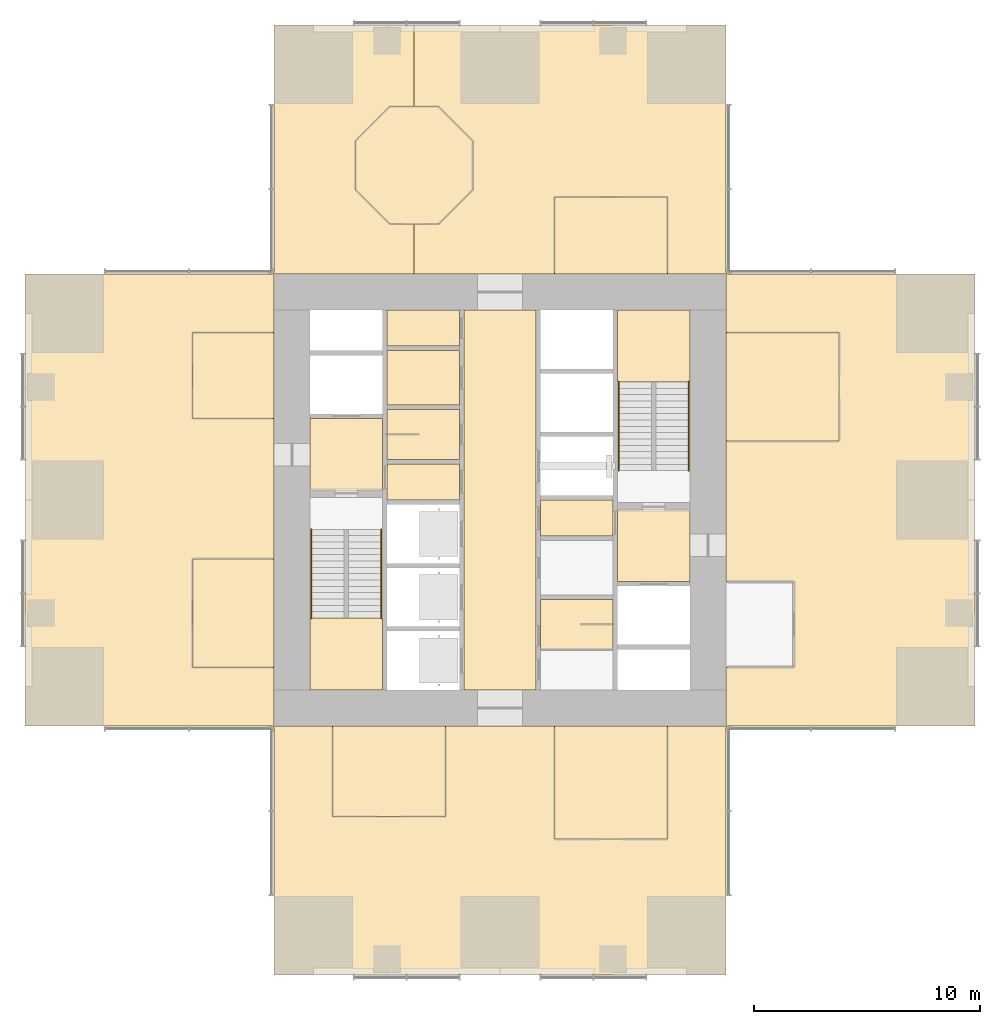
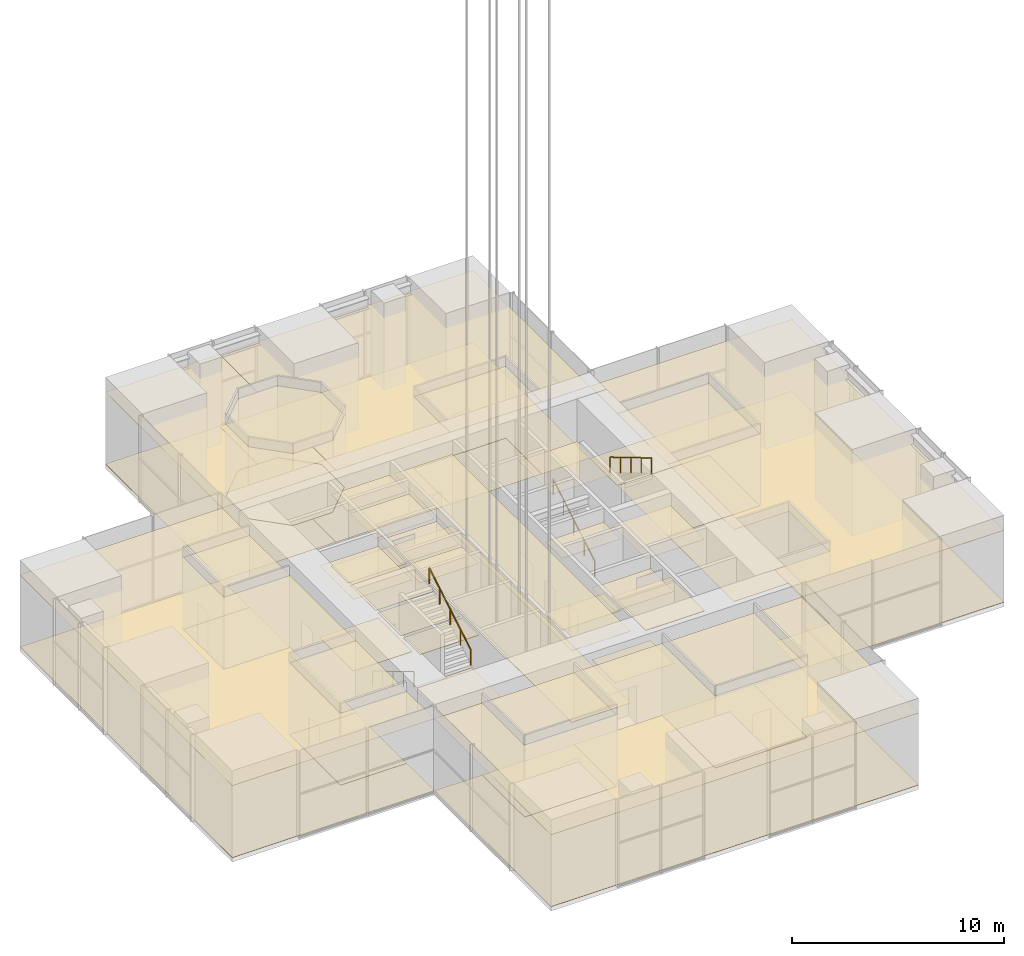
# One storey, part 15 of 16: 44 coverings, 4 railings.
"""IFC4 building model written with IfcOpenShell, lengths in metres."""

from ifc_helpers import new_model, si_unit, direction, frame, origin, origin_2d, place, context, subcontext, project, spatial, polyline, circle, outline, extrude, material, layer, layer_set, type_object, element, save


model = new_model("IFC4")

# Units and contexts
model_context = context("Model", 3, precision=1e-05, world=origin(), true_north=direction((0.0, 1.0)))
body_context = subcontext(model_context, "Body", "Model", "MODEL_VIEW")
ifc_project = project(units=[si_unit("LENGTHUNIT", "METRE"), si_unit("AREAUNIT", "SQUARE_METRE"), si_unit("VOLUMEUNIT", "CUBIC_METRE"), si_unit("PLANEANGLEUNIT", "RADIAN"), si_unit("MASSUNIT", "GRAM", prefix="KILO")], contexts=[model_context])

# Site, building, storey
site_placement = place(None, origin())
site = spatial("IfcSite", under=ifc_project, at=site_placement, CompositionType="ELEMENT")
building_placement = place(site_placement, origin())
building = spatial("IfcBuilding", under=site, at=building_placement, Name="Svetlomir Tower", CompositionType="ELEMENT")
storey_placement = place(building_placement, frame((0.0, 0.0, 91.5)))
storey = spatial("IfcBuildingStorey", under=building, at=storey_placement, Name="L21", CompositionType="ELEMENT", Elevation=91.5)

# Coverings
ifc_material_1 = material(Name="Carpet tile", Category="textile")
ifc_layer_1 = layer(ifc_material_1, 0.010009765625)
ifc_layer_set_1 = layer_set([ifc_layer_1], Name="Carpet tile")
covering_type_1 = type_object("IfcCoveringType", Name="CARPET TILE FLOOR 10", PredefinedType="FLOORING", material=ifc_layer_set_1)
covering_1_placement = place(storey_placement, origin())
element("IfcCovering", 1, at=covering_1_placement, inside=storey, type_object=covering_type_1, Name="Floor finish L21-14", PredefinedType="FLOORING", context=body_context, shape_type="SweptSolid", body=[
    extrude(outline(polyline([(13.60009765625, 7.0), (18.60009765625, 7.0), (18.60009765625, 11.0), (13.60009765625, 11.0), (13.60009765625, 7.0)])), origin(), (0.0, 0.0, 1.0), 0.010009765625),
])
covering_2_placement = place(storey_placement, origin())
element("IfcCovering", 2, at=covering_2_placement, inside=storey, type_object=covering_type_1, Name="Floor finish L21-15", PredefinedType="FLOORING", context=body_context, shape_type="SweptSolid", body=[
    extrude(outline(polyline([(23.39990234375, 6.0), (28.39990234375, 6.0), (28.39990234375, 11.0), (23.39990234375, 11.0), (23.39990234375, 6.0)])), origin(), (0.0, 0.0, 1.0), 0.010009765625),
])
covering_3_placement = place(storey_placement, origin())
element("IfcCovering", 3, at=covering_3_placement, inside=storey, type_object=covering_type_1, Name="Floor finish L21-17", PredefinedType="FLOORING", context=body_context, shape_type="SweptSolid", body=[
    extrude(outline(polyline([(31.0, 23.60009765625), (36.0, 23.60009765625), (36.0, 28.39990234375), (31.0, 28.39990234375), (31.0, 23.60009765625)])), origin(), (0.0, 0.0, 1.0), 0.010009765625),
])
covering_4_placement = place(storey_placement, origin())
element("IfcCovering", 4, at=covering_4_placement, inside=storey, type_object=covering_type_1, Name="Floor finish L21-18", PredefinedType="FLOORING", context=body_context, shape_type="SweptSolid", body=[
    extrude(outline(polyline([(23.39990234375, 31.0), (28.39990234375, 31.0), (28.39990234375, 34.39990234375), (23.39990234375, 34.39990234375), (23.39990234375, 31.0)])), origin(), (0.0, 0.0, 1.0), 0.010009765625),
])
covering_5_placement = place(storey_placement, origin())
element("IfcCovering", 5, at=covering_5_placement, inside=storey, type_object=covering_type_1, Name="Floor finish L21-19", PredefinedType="FLOORING", context=body_context, shape_type="SweptSolid", body=[
    extrude(outline(polyline([(16.123046875, 33.199951171875), (18.277099609375, 33.199951171875), (19.800048828125, 34.722900390625), (19.800048828125, 36.876953125), (18.277099609375, 38.39990234375), (16.123046875, 38.39990234375), (14.60009765625, 36.876953125), (14.60009765625, 34.722900390625), (16.123046875, 33.199951171875)])), origin(), (0.0, 0.0, 1.0), 0.010009765625),
])
covering_6_placement = place(storey_placement, origin())
element("IfcCovering", 6, at=covering_6_placement, inside=storey, type_object=covering_type_1, Name="Floor finish L21-20", PredefinedType="FLOORING", context=body_context, shape_type="SweptSolid", body=[
    extrude(outline(polyline([(7.39990234375, 13.60009765625), (11.0, 13.60009765625), (11.0, 18.39990234375), (7.39990234375, 18.39990234375), (7.39990234375, 13.60009765625)])), origin(), (0.0, 0.0, 1.0), 0.010009765625),
])
covering_7_placement = place(storey_placement, origin())
element("IfcCovering", 7, at=covering_7_placement, inside=storey, type_object=covering_type_1, Name="Floor finish L21-21", PredefinedType="FLOORING", context=body_context, shape_type="SweptSolid", body=[
    extrude(outline(polyline([(7.39990234375, 24.60009765625), (11.0, 24.60009765625), (11.0, 28.39990234375), (7.39990234375, 28.39990234375), (7.39990234375, 24.60009765625)])), origin(), (0.0, 0.0, 1.0), 0.010009765625),
])
covering_8_placement = place(storey_placement, origin())
element("IfcCovering", 8, at=covering_8_placement, inside=storey, type_object=covering_type_1, Name="Floor finish L21-22", PredefinedType="FLOORING", context=body_context, shape_type="SweptSolid", body=[
    extrude(outline(polyline([(11.0, 0.0), (11.0, 11.0), (13.60009765625, 11.0), (13.60009765625, 7.0), (18.60009765625, 7.0), (18.60009765625, 11.0), (23.39990234375, 11.0), (23.39990234375, 6.0), (28.39990234375, 6.0), (28.39990234375, 11.0), (31.0, 11.0), (31.0, 0.0), (11.0, 0.0)])), origin(), (0.0, 0.0, 1.0), 0.010009765625),
])
covering_9_placement = place(storey_placement, origin())
element("IfcCovering", 9, at=covering_9_placement, inside=storey, type_object=covering_type_1, Name="Floor finish L21-23", PredefinedType="FLOORING", context=body_context, shape_type="SweptSolid", body=[
    extrude(outline(polyline([(42.0, 11.0), (31.0, 11.0), (31.0, 13.60009765625), (34.0, 13.60009765625), (34.0, 17.39990234375), (31.0, 17.39990234375), (31.0, 23.60009765625), (36.0, 23.60009765625), (36.0, 28.39990234375), (31.0, 28.39990234375), (31.0, 31.0), (42.0, 31.0), (42.0, 11.0)])), origin(), (0.0, 0.0, 1.0), 0.010009765625),
])
covering_10_placement = place(storey_placement, origin())
element("IfcCovering", 10, at=covering_10_placement, inside=storey, type_object=covering_type_1, Name="Floor finish L21-24", PredefinedType="FLOORING", context=body_context, shape_type="SweptSolid", body=[
    extrude(outline(polyline([(17.199951171875, 31.0), (11.0, 31.0), (11.0, 42.0), (17.199951171875, 42.0), (17.199951171875, 38.39990234375), (16.123046875, 38.39990234375), (14.60009765625, 36.876953125), (14.60009765625, 34.722900390625), (16.123046875, 33.199951171875), (17.199951171875, 33.199951171875), (17.199951171875, 31.0)])), origin(), (0.0, 0.0, 1.0), 0.010009765625),
])
covering_11_placement = place(storey_placement, origin())
element("IfcCovering", 11, at=covering_11_placement, inside=storey, type_object=covering_type_1, Name="Floor finish L21-25", PredefinedType="FLOORING", context=body_context, shape_type="SweptSolid", body=[
    extrude(outline(polyline([(31.0, 42.0), (31.0, 31.0), (28.39990234375, 31.0), (28.39990234375, 34.39990234375), (23.39990234375, 34.39990234375), (23.39990234375, 31.0), (17.199951171875, 31.0), (17.199951171875, 33.199951171875), (18.277099609375, 33.199951171875), (19.800048828125, 34.722900390625), (19.800048828125, 36.876953125), (18.277099609375, 38.39990234375), (17.199951171875, 38.39990234375), (17.199951171875, 42.0), (31.0, 42.0)])), origin(), (0.0, 0.0, 1.0), 0.010009765625),
])
covering_12_placement = place(storey_placement, origin())
element("IfcCovering", 12, at=covering_12_placement, inside=storey, type_object=covering_type_1, Name="Floor finish L21-26", PredefinedType="FLOORING", context=body_context, shape_type="SweptSolid", body=[
    extrude(outline(polyline([(0.0, 31.0), (11.0, 31.0), (11.0, 28.39990234375), (7.39990234375, 28.39990234375), (7.39990234375, 24.60009765625), (11.0, 24.60009765625), (11.0, 18.39990234375), (7.39990234375, 18.39990234375), (7.39990234375, 13.60009765625), (11.0, 13.60009765625), (11.0, 11.0), (0.0, 11.0), (0.0, 31.0)])), origin(), (0.0, 0.0, 1.0), 0.010009765625),
])
ifc_material_2 = material(Name="Ceramic floor tile", Category="ceramic")
ifc_layer_2 = layer(ifc_material_2, 0.014892578125)
ifc_layer_set_2 = layer_set([ifc_layer_2], Name="Ceramic floor tile")
covering_type_2 = type_object("IfcCoveringType", Name="CERAMIC TILE FLOOR 15", PredefinedType="FLOORING", material=ifc_layer_set_2)
covering_13_placement = place(storey_placement, origin())
element("IfcCovering", 13, at=covering_13_placement, inside=storey, type_object=covering_type_2, Name="Floor finish L21-04", PredefinedType="FLOORING", context=body_context, shape_type="SweptSolid", body=[
    extrude(outline(polyline([(16.0, 22.800048828125), (19.199951171875, 22.800048828125), (19.199951171875, 25.0), (16.0, 25.0), (16.0, 22.800048828125)])), origin(), (0.0, 0.0, 1.0), 0.014892578125),
])
covering_14_placement = place(storey_placement, origin())
element("IfcCovering", 14, at=covering_14_placement, inside=storey, type_object=covering_type_2, Name="Floor finish L21-05", PredefinedType="FLOORING", context=body_context, shape_type="SweptSolid", body=[
    extrude(outline(polyline([(16.0, 25.199951171875), (19.199951171875, 25.199951171875), (19.199951171875, 27.60009765625), (16.0, 27.60009765625), (16.0, 25.199951171875)])), origin(), (0.0, 0.0, 1.0), 0.014892578125),
])
covering_15_placement = place(storey_placement, origin())
element("IfcCovering", 15, at=covering_15_placement, inside=storey, type_object=covering_type_2, Name="Floor finish L21-09", PredefinedType="FLOORING", context=body_context, shape_type="SweptSolid", body=[
    extrude(outline(polyline([(22.800048828125, 14.39990234375), (26.0, 14.39990234375), (26.0, 16.60009765625), (22.800048828125, 16.60009765625), (22.800048828125, 14.39990234375)])), origin(), (0.0, 0.0, 1.0), 0.014892578125),
])

# Railings
ifc_material_3 = material(Name="Stainless steel", Category="steel")
railing_type = type_object("IfcRailingType", Name="HANDRAIL HR1 900", PredefinedType="HANDRAIL", material=ifc_material_3)
railing_1_placement = place(storey_placement, frame((12.64990234375, 19.699951171875, 0.166748046875)))
element("IfcRailing", 16, at=railing_1_placement, inside=storey, type_object=railing_type, Name="Handrail S1 flight 1 L21", PredefinedType="HANDRAIL", context=body_context, shape_type="SweptSolid", body=[
    extrude(circle(Radius=0.02392578125, at=origin_2d()), frame((0.0, 0.0, 0.8759765625), z_axis=(0.0, -0.859296244711, 0.511478214419), x_axis=(1.0, 0.0, 0.0)), (0.0, 0.0, 1.0), 4.561767578125),
    extrude(circle(Radius=0.02099609375, at=origin_2d()), origin(), (0.0, 0.0, 1.0), 0.851806640625),
    extrude(circle(Radius=0.02099609375, at=origin_2d()), frame((0.0, -0.97998046875, 0.583251953125)), (0.0, 0.0, 1.0), 0.851806640625),
    extrude(circle(Radius=0.02099609375, at=origin_2d()), frame((0.0, -1.9599609375, 1.16650390625)), (0.0, 0.0, 1.0), 0.851806640625),
    extrude(circle(Radius=0.02099609375, at=origin_2d()), frame((0.0, -2.93994140625, 1.75)), (0.0, 0.0, 1.0), 0.851806640625),
    extrude(circle(Radius=0.02099609375, at=origin_2d()), frame((0.0, -3.919921875, 2.333251953125)), (0.0, 0.0, 1.0), 0.851806640625),
])
for number, where, name in (
    (17, (15.75, 15.780029296875, 2.666748046875), "Handrail S1 flight 2 L21"),
    (18, (26.25, 22.300048828125, 0.166748046875), "Handrail S2 flight 1 L21"),
):
    element("IfcRailing", number, at=place(storey_placement, frame(where)), inside=storey, type_object=railing_type, Name=name, PredefinedType="HANDRAIL", context=body_context, shape_type="SweptSolid", body=[
        extrude(circle(Radius=0.02392578125, at=origin_2d()), frame((0.0, 0.0, 0.8759765625), z_axis=(0.0, 0.859296244711, 0.511478214419), x_axis=(-1.0, 0.0, 0.0)), (0.0, 0.0, 1.0), 4.561767578125),
        extrude(circle(Radius=0.02099609375, at=origin_2d()), origin(), (0.0, 0.0, 1.0), 0.851806640625),
        extrude(circle(Radius=0.02099609375, at=origin_2d()), frame((0.0, 0.97998046875, 0.583251953125)), (0.0, 0.0, 1.0), 0.851806640625),
        extrude(circle(Radius=0.02099609375, at=origin_2d()), frame((0.0, 1.9599609375, 1.16650390625)), (0.0, 0.0, 1.0), 0.851806640625),
        extrude(circle(Radius=0.02099609375, at=origin_2d()), frame((0.0, 2.93994140625, 1.75)), (0.0, 0.0, 1.0), 0.851806640625),
        extrude(circle(Radius=0.02099609375, at=origin_2d()), frame((0.0, 3.919921875, 2.333251953125)), (0.0, 0.0, 1.0), 0.851806640625),
    ])
railing_2_placement = place(storey_placement, frame((29.35009765625, 26.219970703125, 2.666748046875)))
element("IfcRailing", 19, at=railing_2_placement, inside=storey, type_object=railing_type, Name="Handrail S2 flight 2 L21", PredefinedType="HANDRAIL", context=body_context, shape_type="SweptSolid", body=[
    extrude(circle(Radius=0.02392578125, at=origin_2d()), frame((0.0, 0.0, 0.8759765625), z_axis=(0.0, -0.859296244711, 0.511478214419), x_axis=(1.0, 0.0, 0.0)), (0.0, 0.0, 1.0), 4.561767578125),
    extrude(circle(Radius=0.02099609375, at=origin_2d()), origin(), (0.0, 0.0, 1.0), 0.851806640625),
    extrude(circle(Radius=0.02099609375, at=origin_2d()), frame((0.0, -0.97998046875, 0.583251953125)), (0.0, 0.0, 1.0), 0.851806640625),
    extrude(circle(Radius=0.02099609375, at=origin_2d()), frame((0.0, -1.9599609375, 1.16650390625)), (0.0, 0.0, 1.0), 0.851806640625),
    extrude(circle(Radius=0.02099609375, at=origin_2d()), frame((0.0, -2.93994140625, 1.75)), (0.0, 0.0, 1.0), 0.851806640625),
    extrude(circle(Radius=0.02099609375, at=origin_2d()), frame((0.0, -3.919921875, 2.333251953125)), (0.0, 0.0, 1.0), 0.851806640625),
])

# Coverings
ifc_material_4 = material(Name="Moisture resistant plasterboard ceiling", Category="gypsum")
ifc_layer_3 = layer(ifc_material_4, 0.012451171875)
ifc_layer_set_3 = layer_set([ifc_layer_3], Name="Moisture resistant plasterboard ceiling")
covering_type_3 = type_object("IfcCoveringType", Name="MOISTURE RESISTANT CEILING 12.5", PredefinedType="CEILING", material=ifc_layer_set_3)
covering_16_placement = place(storey_placement, frame((0.0, 0.0, 4.137451171875)))
element("IfcCovering", 20, at=covering_16_placement, inside=storey, type_object=covering_type_3, Name="Ceiling L21-04", PredefinedType="CEILING", context=body_context, shape_type="SweptSolid", body=[
    extrude(outline(polyline([(16.0, 22.800048828125), (19.199951171875, 22.800048828125), (19.199951171875, 25.0), (16.0, 25.0), (16.0, 22.800048828125)])), origin(), (0.0, 0.0, 1.0), 0.012451171875),
])
covering_17_placement = place(storey_placement, frame((0.0, 0.0, 4.137451171875)))
element("IfcCovering", 21, at=covering_17_placement, inside=storey, type_object=covering_type_3, Name="Ceiling L21-05", PredefinedType="CEILING", context=body_context, shape_type="SweptSolid", body=[
    extrude(outline(polyline([(16.0, 25.199951171875), (19.199951171875, 25.199951171875), (19.199951171875, 27.60009765625), (16.0, 27.60009765625), (16.0, 25.199951171875)])), origin(), (0.0, 0.0, 1.0), 0.012451171875),
])
covering_18_placement = place(storey_placement, frame((0.0, 0.0, 4.137451171875)))
element("IfcCovering", 22, at=covering_18_placement, inside=storey, type_object=covering_type_3, Name="Ceiling L21-09", PredefinedType="CEILING", context=body_context, shape_type="SweptSolid", body=[
    extrude(outline(polyline([(22.800048828125, 14.39990234375), (26.0, 14.39990234375), (26.0, 16.60009765625), (22.800048828125, 16.60009765625), (22.800048828125, 14.39990234375)])), origin(), (0.0, 0.0, 1.0), 0.012451171875),
])
ifc_material_5 = material(Name="Gypsum plasterboard ceiling", Category="gypsum")
ifc_layer_4 = layer(ifc_material_5, 0.014892578125)
ifc_layer_set_4 = layer_set([ifc_layer_4], Name="Gypsum plasterboard ceiling")
covering_type_4 = type_object("IfcCoveringType", Name="PLASTERBOARD CEILING 15", PredefinedType="CEILING", material=ifc_layer_set_4)
covering_19_placement = place(storey_placement, frame((0.0, 0.0, 4.135009765625)))
element("IfcCovering", 23, at=covering_19_placement, inside=storey, type_object=covering_type_4, Name="Ceiling L21-02", PredefinedType="CEILING", context=body_context, shape_type="SweptSolid", body=[
    extrude(outline(polyline([(12.60009765625, 21.39990234375), (15.800048828125, 21.39990234375), (15.800048828125, 24.60009765625), (12.60009765625, 24.60009765625), (12.60009765625, 21.39990234375)])), origin(), (0.0, 0.0, 1.0), 0.014892578125),
])
covering_20_placement = place(storey_placement, frame((0.0, 0.0, 4.135009765625)))
element("IfcCovering", 24, at=covering_20_placement, inside=storey, type_object=covering_type_4, Name="Ceiling L21-03", PredefinedType="CEILING", context=body_context, shape_type="SweptSolid", body=[
    extrude(outline(polyline([(16.0, 21.0), (19.199951171875, 21.0), (19.199951171875, 22.60009765625), (16.0, 22.60009765625), (16.0, 21.0)])), origin(), (0.0, 0.0, 1.0), 0.014892578125),
])
covering_21_placement = place(storey_placement, frame((0.0, 0.0, 4.135009765625)))
element("IfcCovering", 25, at=covering_21_placement, inside=storey, type_object=covering_type_4, Name="Ceiling L21-06", PredefinedType="CEILING", context=body_context, shape_type="SweptSolid", body=[
    extrude(outline(polyline([(16.0, 27.800048828125), (19.199951171875, 27.800048828125), (19.199951171875, 29.39990234375), (16.0, 29.39990234375), (16.0, 27.800048828125)])), origin(), (0.0, 0.0, 1.0), 0.014892578125),
])
covering_22_placement = place(storey_placement, frame((0.0, 0.0, 4.135009765625)))
element("IfcCovering", 26, at=covering_22_placement, inside=storey, type_object=covering_type_4, Name="Ceiling L21-07", PredefinedType="CEILING", context=body_context, shape_type="SweptSolid", body=[
    extrude(outline(polyline([(19.39990234375, 12.60009765625), (22.60009765625, 12.60009765625), (22.60009765625, 29.39990234375), (19.39990234375, 29.39990234375), (19.39990234375, 12.60009765625)])), origin(), (0.0, 0.0, 1.0), 0.014892578125),
])
covering_23_placement = place(storey_placement, frame((0.0, 0.0, 4.135009765625)))
element("IfcCovering", 27, at=covering_23_placement, inside=storey, type_object=covering_type_4, Name="Ceiling L21-11", PredefinedType="CEILING", context=body_context, shape_type="SweptSolid", body=[
    extrude(outline(polyline([(22.800048828125, 19.39990234375), (26.0, 19.39990234375), (26.0, 21.0), (22.800048828125, 21.0), (22.800048828125, 19.39990234375)])), origin(), (0.0, 0.0, 1.0), 0.014892578125),
])
covering_24_placement = place(storey_placement, frame((0.0, 0.0, 4.135009765625)))
element("IfcCovering", 28, at=covering_24_placement, inside=storey, type_object=covering_type_4, Name="Ceiling L21-12", PredefinedType="CEILING", context=body_context, shape_type="SweptSolid", body=[
    extrude(outline(polyline([(26.199951171875, 17.39990234375), (29.39990234375, 17.39990234375), (29.39990234375, 20.60009765625), (26.199951171875, 20.60009765625), (26.199951171875, 17.39990234375)])), origin(), (0.0, 0.0, 1.0), 0.014892578125),
])
ifc_material_6 = material(Name="Studded rubber floor finish", Category="rubber")
ifc_layer_5 = layer(ifc_material_6, 0.006103515625)
ifc_layer_set_5 = layer_set([ifc_layer_5], Name="Studded rubber floor finish")
covering_type_5 = type_object("IfcCoveringType", Name="RUBBER LANDING FINISH 6", PredefinedType="FLOORING", material=ifc_layer_set_5)
covering_25_placement = place(storey_placement, frame((0.0, 0.0, 2.5)))
element("IfcCovering", 29, at=covering_25_placement, inside=storey, type_object=covering_type_5, Name="Stair S1 landing finish L21", PredefinedType="FLOORING", context=body_context, shape_type="SweptSolid", body=[
    extrude(outline(polyline([(12.60009765625, 12.60009765625), (15.800048828125, 12.60009765625), (15.800048828125, 15.780029296875), (12.60009765625, 15.780029296875), (12.60009765625, 12.60009765625)])), origin(), (0.0, 0.0, 1.0), 0.006103515625),
])
covering_26_placement = place(storey_placement, frame((0.0, 0.0, 2.5)))
element("IfcCovering", 30, at=covering_26_placement, inside=storey, type_object=covering_type_5, Name="Stair S2 landing finish L21", PredefinedType="FLOORING", context=body_context, shape_type="SweptSolid", body=[
    extrude(outline(polyline([(26.199951171875, 26.219970703125), (29.39990234375, 26.219970703125), (29.39990234375, 29.39990234375), (26.199951171875, 29.39990234375), (26.199951171875, 26.219970703125)])), origin(), (0.0, 0.0, 1.0), 0.006103515625),
])
ifc_material_7 = material(Name="Mineral fibre ceiling tile", Category="mineral")
ifc_layer_6 = layer(ifc_material_7, 0.02001953125)
ifc_layer_set_6 = layer_set([ifc_layer_6], Name="Mineral fibre ceiling tile")
covering_type_6 = type_object("IfcCoveringType", Name="SUSPENDED CEILING 20", PredefinedType="CEILING", material=ifc_layer_set_6)
covering_27_placement = place(storey_placement, frame((0.0, 0.0, 4.1298828125)))
element("IfcCovering", 31, at=covering_27_placement, inside=storey, type_object=covering_type_6, Name="Ceiling L21-14", PredefinedType="CEILING", context=body_context, shape_type="SweptSolid", body=[
    extrude(outline(polyline([(13.60009765625, 7.0), (18.60009765625, 7.0), (18.60009765625, 11.0), (13.60009765625, 11.0), (13.60009765625, 7.0)])), origin(), (0.0, 0.0, 1.0), 0.02001953125),
])
covering_28_placement = place(storey_placement, frame((0.0, 0.0, 4.1298828125)))
element("IfcCovering", 32, at=covering_28_placement, inside=storey, type_object=covering_type_6, Name="Ceiling L21-15", PredefinedType="CEILING", context=body_context, shape_type="SweptSolid", body=[
    extrude(outline(polyline([(23.39990234375, 6.0), (28.39990234375, 6.0), (28.39990234375, 11.0), (23.39990234375, 11.0), (23.39990234375, 6.0)])), origin(), (0.0, 0.0, 1.0), 0.02001953125),
])
covering_29_placement = place(storey_placement, frame((0.0, 0.0, 4.1298828125)))
element("IfcCovering", 33, at=covering_29_placement, inside=storey, type_object=covering_type_6, Name="Ceiling L21-17", PredefinedType="CEILING", context=body_context, shape_type="SweptSolid", body=[
    extrude(outline(polyline([(31.0, 23.60009765625), (36.0, 23.60009765625), (36.0, 28.39990234375), (31.0, 28.39990234375), (31.0, 23.60009765625)])), origin(), (0.0, 0.0, 1.0), 0.02001953125),
])
covering_30_placement = place(storey_placement, frame((0.0, 0.0, 4.1298828125)))
element("IfcCovering", 34, at=covering_30_placement, inside=storey, type_object=covering_type_6, Name="Ceiling L21-18", PredefinedType="CEILING", context=body_context, shape_type="SweptSolid", body=[
    extrude(outline(polyline([(23.39990234375, 31.0), (28.39990234375, 31.0), (28.39990234375, 34.39990234375), (23.39990234375, 34.39990234375), (23.39990234375, 31.0)])), origin(), (0.0, 0.0, 1.0), 0.02001953125),
])
covering_31_placement = place(storey_placement, frame((0.0, 0.0, 4.1298828125)))
element("IfcCovering", 35, at=covering_31_placement, inside=storey, type_object=covering_type_6, Name="Ceiling L21-19", PredefinedType="CEILING", context=body_context, shape_type="SweptSolid", body=[
    extrude(outline(polyline([(16.123046875, 33.199951171875), (18.277099609375, 33.199951171875), (19.800048828125, 34.722900390625), (19.800048828125, 36.876953125), (18.277099609375, 38.39990234375), (16.123046875, 38.39990234375), (14.60009765625, 36.876953125), (14.60009765625, 34.722900390625), (16.123046875, 33.199951171875)])), origin(), (0.0, 0.0, 1.0), 0.02001953125),
])
covering_32_placement = place(storey_placement, frame((0.0, 0.0, 4.1298828125)))
element("IfcCovering", 36, at=covering_32_placement, inside=storey, type_object=covering_type_6, Name="Ceiling L21-20", PredefinedType="CEILING", context=body_context, shape_type="SweptSolid", body=[
    extrude(outline(polyline([(7.39990234375, 13.60009765625), (11.0, 13.60009765625), (11.0, 18.39990234375), (7.39990234375, 18.39990234375), (7.39990234375, 13.60009765625)])), origin(), (0.0, 0.0, 1.0), 0.02001953125),
])
covering_33_placement = place(storey_placement, frame((0.0, 0.0, 4.1298828125)))
element("IfcCovering", 37, at=covering_33_placement, inside=storey, type_object=covering_type_6, Name="Ceiling L21-21", PredefinedType="CEILING", context=body_context, shape_type="SweptSolid", body=[
    extrude(outline(polyline([(7.39990234375, 24.60009765625), (11.0, 24.60009765625), (11.0, 28.39990234375), (7.39990234375, 28.39990234375), (7.39990234375, 24.60009765625)])), origin(), (0.0, 0.0, 1.0), 0.02001953125),
])
covering_34_placement = place(storey_placement, frame((0.0, 0.0, 4.1298828125)))
element("IfcCovering", 38, at=covering_34_placement, inside=storey, type_object=covering_type_6, Name="Ceiling L21-22", PredefinedType="CEILING", context=body_context, shape_type="SweptSolid", body=[
    extrude(outline(polyline([(11.0, 0.0), (11.0, 11.0), (13.60009765625, 11.0), (13.60009765625, 7.0), (18.60009765625, 7.0), (18.60009765625, 11.0), (23.39990234375, 11.0), (23.39990234375, 6.0), (28.39990234375, 6.0), (28.39990234375, 11.0), (31.0, 11.0), (31.0, 0.0), (11.0, 0.0)])), origin(), (0.0, 0.0, 1.0), 0.02001953125),
])
covering_35_placement = place(storey_placement, frame((0.0, 0.0, 4.1298828125)))
element("IfcCovering", 39, at=covering_35_placement, inside=storey, type_object=covering_type_6, Name="Ceiling L21-23", PredefinedType="CEILING", context=body_context, shape_type="SweptSolid", body=[
    extrude(outline(polyline([(42.0, 11.0), (31.0, 11.0), (31.0, 13.60009765625), (34.0, 13.60009765625), (34.0, 17.39990234375), (31.0, 17.39990234375), (31.0, 23.60009765625), (36.0, 23.60009765625), (36.0, 28.39990234375), (31.0, 28.39990234375), (31.0, 31.0), (42.0, 31.0), (42.0, 11.0)])), origin(), (0.0, 0.0, 1.0), 0.02001953125),
])
covering_36_placement = place(storey_placement, frame((0.0, 0.0, 4.1298828125)))
element("IfcCovering", 40, at=covering_36_placement, inside=storey, type_object=covering_type_6, Name="Ceiling L21-24", PredefinedType="CEILING", context=body_context, shape_type="SweptSolid", body=[
    extrude(outline(polyline([(17.199951171875, 31.0), (11.0, 31.0), (11.0, 42.0), (17.199951171875, 42.0), (17.199951171875, 38.39990234375), (16.123046875, 38.39990234375), (14.60009765625, 36.876953125), (14.60009765625, 34.722900390625), (16.123046875, 33.199951171875), (17.199951171875, 33.199951171875), (17.199951171875, 31.0)])), origin(), (0.0, 0.0, 1.0), 0.02001953125),
])
covering_37_placement = place(storey_placement, frame((0.0, 0.0, 4.1298828125)))
element("IfcCovering", 41, at=covering_37_placement, inside=storey, type_object=covering_type_6, Name="Ceiling L21-25", PredefinedType="CEILING", context=body_context, shape_type="SweptSolid", body=[
    extrude(outline(polyline([(31.0, 42.0), (31.0, 31.0), (28.39990234375, 31.0), (28.39990234375, 34.39990234375), (23.39990234375, 34.39990234375), (23.39990234375, 31.0), (17.199951171875, 31.0), (17.199951171875, 33.199951171875), (18.277099609375, 33.199951171875), (19.800048828125, 34.722900390625), (19.800048828125, 36.876953125), (18.277099609375, 38.39990234375), (17.199951171875, 38.39990234375), (17.199951171875, 42.0), (31.0, 42.0)])), origin(), (0.0, 0.0, 1.0), 0.02001953125),
])
covering_38_placement = place(storey_placement, frame((0.0, 0.0, 4.1298828125)))
element("IfcCovering", 42, at=covering_38_placement, inside=storey, type_object=covering_type_6, Name="Ceiling L21-26", PredefinedType="CEILING", context=body_context, shape_type="SweptSolid", body=[
    extrude(outline(polyline([(0.0, 31.0), (11.0, 31.0), (11.0, 28.39990234375), (7.39990234375, 28.39990234375), (7.39990234375, 24.60009765625), (11.0, 24.60009765625), (11.0, 18.39990234375), (7.39990234375, 18.39990234375), (7.39990234375, 13.60009765625), (11.0, 13.60009765625), (11.0, 11.0), (0.0, 11.0), (0.0, 31.0)])), origin(), (0.0, 0.0, 1.0), 0.02001953125),
])
ifc_material_8 = material(Name="Bronze-aggregate terrazzo", Category="stone")
ifc_layer_7 = layer(ifc_material_8, 0.030029296875)
ifc_layer_set_7 = layer_set([ifc_layer_7], Name="Bronze-aggregate terrazzo")
covering_type_7 = type_object("IfcCoveringType", Name="TERRAZZO FLOOR 30", PredefinedType="FLOORING", material=ifc_layer_set_7)
covering_39_placement = place(storey_placement, origin())
element("IfcCovering", 43, at=covering_39_placement, inside=storey, type_object=covering_type_7, Name="Floor finish L21-02", PredefinedType="FLOORING", context=body_context, shape_type="SweptSolid", body=[
    extrude(outline(polyline([(12.60009765625, 21.39990234375), (15.800048828125, 21.39990234375), (15.800048828125, 24.60009765625), (12.60009765625, 24.60009765625), (12.60009765625, 21.39990234375)])), origin(), (0.0, 0.0, 1.0), 0.030029296875),
])
covering_40_placement = place(storey_placement, origin())
element("IfcCovering", 44, at=covering_40_placement, inside=storey, type_object=covering_type_7, Name="Floor finish L21-03", PredefinedType="FLOORING", context=body_context, shape_type="SweptSolid", body=[
    extrude(outline(polyline([(16.0, 21.0), (19.199951171875, 21.0), (19.199951171875, 22.60009765625), (16.0, 22.60009765625), (16.0, 21.0)])), origin(), (0.0, 0.0, 1.0), 0.030029296875),
])
covering_41_placement = place(storey_placement, origin())
element("IfcCovering", 45, at=covering_41_placement, inside=storey, type_object=covering_type_7, Name="Floor finish L21-06", PredefinedType="FLOORING", context=body_context, shape_type="SweptSolid", body=[
    extrude(outline(polyline([(16.0, 27.800048828125), (19.199951171875, 27.800048828125), (19.199951171875, 29.39990234375), (16.0, 29.39990234375), (16.0, 27.800048828125)])), origin(), (0.0, 0.0, 1.0), 0.030029296875),
])
covering_42_placement = place(storey_placement, origin())
element("IfcCovering", 46, at=covering_42_placement, inside=storey, type_object=covering_type_7, Name="Floor finish L21-07", PredefinedType="FLOORING", context=body_context, shape_type="SweptSolid", body=[
    extrude(outline(polyline([(19.39990234375, 12.60009765625), (22.60009765625, 12.60009765625), (22.60009765625, 29.39990234375), (19.39990234375, 29.39990234375), (19.39990234375, 12.60009765625)])), origin(), (0.0, 0.0, 1.0), 0.030029296875),
])
covering_43_placement = place(storey_placement, origin())
element("IfcCovering", 47, at=covering_43_placement, inside=storey, type_object=covering_type_7, Name="Floor finish L21-11", PredefinedType="FLOORING", context=body_context, shape_type="SweptSolid", body=[
    extrude(outline(polyline([(22.800048828125, 19.39990234375), (26.0, 19.39990234375), (26.0, 21.0), (22.800048828125, 21.0), (22.800048828125, 19.39990234375)])), origin(), (0.0, 0.0, 1.0), 0.030029296875),
])
covering_44_placement = place(storey_placement, origin())
element("IfcCovering", 48, at=covering_44_placement, inside=storey, type_object=covering_type_7, Name="Floor finish L21-12", PredefinedType="FLOORING", context=body_context, shape_type="SweptSolid", body=[
    extrude(outline(polyline([(26.199951171875, 17.39990234375), (29.39990234375, 17.39990234375), (29.39990234375, 20.60009765625), (26.199951171875, 20.60009765625), (26.199951171875, 17.39990234375)])), origin(), (0.0, 0.0, 1.0), 0.030029296875),
])

save(model, "model.ifc")
